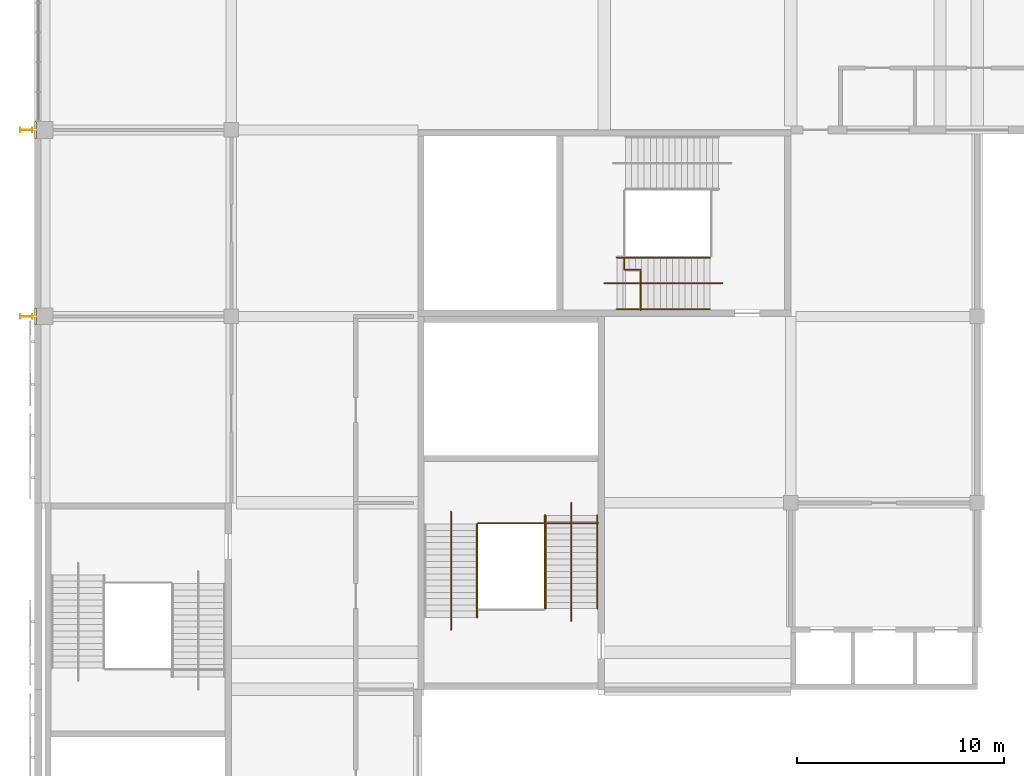
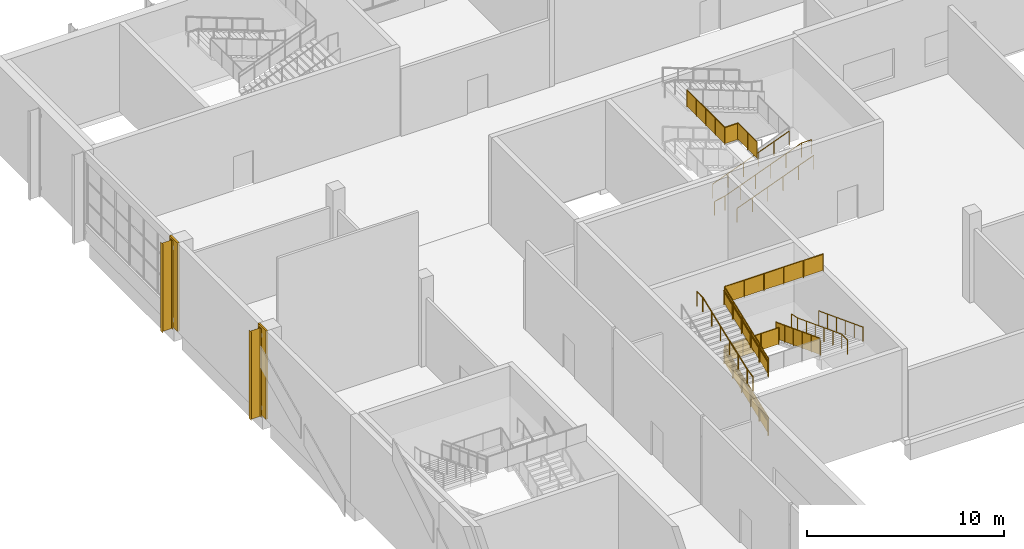
# One storey, part 70 of 84: 15 railings, 2 coverings, 2 shading devices.
"""IFC4 building model written with IfcOpenShell, lengths in metres."""

from ifc_helpers import new_model, si_unit, direction, frame, origin, origin_2d, place, context, subcontext, project, spatial, polyline, circle, i_section, outline, extrude, material, layer, layer_set, material_profile, profile_set, type_object, element, save


model = new_model("IFC4")

# Units and contexts
model_context = context("Model", 3, precision=1e-05, world=origin(), true_north=direction((0.0, 1.0)))
body_context = subcontext(model_context, "Body", "Model", "MODEL_VIEW")
ifc_project = project(units=[si_unit("LENGTHUNIT", "METRE"), si_unit("AREAUNIT", "SQUARE_METRE"), si_unit("VOLUMEUNIT", "CUBIC_METRE"), si_unit("PLANEANGLEUNIT", "RADIAN"), si_unit("MASSUNIT", "GRAM", prefix="KILO")], contexts=[model_context])

# Site, building, storey
site_placement = place(None, origin())
site = spatial("IfcSite", under=ifc_project, at=site_placement, CompositionType="ELEMENT")
building_placement = place(site_placement, origin())
building = spatial("IfcBuilding", under=site, at=building_placement, Name="Silverbay Arena", CompositionType="ELEMENT")
storey_placement = place(building_placement, frame((0.0, 0.0, 28.0)))
storey = spatial("IfcBuildingStorey", under=building, at=storey_placement, Name="L04", CompositionType="ELEMENT", Elevation=28.0)

# Coverings
ifc_material_1 = material(Name="Aluminium composite cladding", Category="aluminium")
ifc_layer = layer(ifc_material_1, 0.10009765625)
ifc_layer_set = layer_set([ifc_layer], Name="Aluminium composite cladding")
covering_type = type_object("IfcCoveringType", Name="Column cladding 100", PredefinedType="CLADDING", material=ifc_layer_set)
covering_1_placement = place(storey_placement, origin())
element("IfcCovering", 1, at=covering_1_placement, inside=storey, type_object=covering_type, Name="West column cladding L04 11", PredefinedType="CLADDING", context=body_context, shape_type="SweptSolid", body=[
    extrude(outline(polyline([(53.5, 116.60009765625), (53.60009765625, 116.60009765625), (53.60009765625, 117.39990234375), (53.5, 117.39990234375), (53.5, 116.60009765625)])), origin(), (0.0, 0.0, 1.0), 5.5),
])
covering_2_placement = place(storey_placement, origin())
element("IfcCovering", 2, at=covering_2_placement, inside=storey, type_object=covering_type, Name="West column cladding L04 13", PredefinedType="CLADDING", context=body_context, shape_type="SweptSolid", body=[
    extrude(outline(polyline([(53.5, 125.60009765625), (53.60009765625, 125.60009765625), (53.60009765625, 126.39990234375), (53.5, 126.39990234375), (53.5, 125.60009765625)])), origin(), (0.0, 0.0, 1.0), 5.5),
])

# Railings
ifc_material_2 = material(Name="Stainless steel", Category="steel")
railing_type_1 = type_object("IfcRailingType", Name="Stair guard 1100", PredefinedType="GUARDRAIL", material=ifc_material_2)
railing_1_placement = place(storey_placement, frame((81.970458984375, 123.10009765625, 5.5)))
element("IfcRailing", 3, at=railing_1_placement, inside=storey, type_object=railing_type_1, Name="Stair ST-NW1 L04 to L05 landing 3 guard", PredefinedType="GUARDRAIL", context=body_context, shape_type="SweptSolid", body=[
    extrude(circle(Radius=0.02392578125, at=origin_2d()), frame((0.0, 0.0, 1.076171875), z_axis=(0.0, -1.0, 0.0), x_axis=(1.0, 0.0, 0.0)), (0.0, 0.0, 1.0), 3.85009765625),
    extrude(outline(polyline([(-0.008056640625, 0.050048828125), (0.970458984375, 0.050048828125), (0.970458984375, 1.052978515625), (-0.008056640625, 1.052978515625), (-0.008056640625, 0.050048828125)])), frame((0.0029296875, 0.0, 0.0), z_axis=(-1.0, 0.0, 0.0), x_axis=(0.0, -1.0, 0.0)), (0.0, 0.0, 1.0), 0.006103515625),
    extrude(outline(polyline([(-0.008056640625, 0.050048828125), (0.970458984375, 0.050048828125), (0.970458984375, 1.052978515625), (-0.008056640625, 1.052978515625), (-0.008056640625, 0.050048828125)])), frame((0.0029296875, -0.96240234375, 0.0), z_axis=(-1.0, 0.0, 0.0), x_axis=(0.0, -1.0, 0.0)), (0.0, 0.0, 1.0), 0.006103515625),
    extrude(outline(polyline([(-0.008056640625, 0.050048828125), (0.970458984375, 0.050048828125), (0.970458984375, 1.052978515625), (-0.008056640625, 1.052978515625), (-0.008056640625, 0.050048828125)])), frame((0.0029296875, -1.925048828125, 0.0), z_axis=(-1.0, 0.0, 0.0), x_axis=(0.0, -1.0, 0.0)), (0.0, 0.0, 1.0), 0.006103515625),
    extrude(outline(polyline([(-0.008056640625, 0.050048828125), (0.970458984375, 0.050048828125), (0.970458984375, 1.052978515625), (-0.008056640625, 1.052978515625), (-0.008056640625, 0.050048828125)])), frame((0.0029296875, -2.8876953125, 0.0), z_axis=(-1.0, 0.0, 0.0), x_axis=(0.0, -1.0, 0.0)), (0.0, 0.0, 1.0), 0.006103515625),
    extrude(circle(Radius=0.02392578125, at=origin_2d()), frame((0.0, -3.85009765625, 1.076171875), z_axis=(1.0, 0.0, 0.0), x_axis=(0.0, 1.0, 0.0)), (0.0, 0.0, 1.0), 0.780029296875),
    extrude(outline(polyline([(-0.008056640625, 0.050048828125), (0.7880859375, 0.050048828125), (0.7880859375, 1.052978515625), (-0.008056640625, 1.052978515625), (-0.008056640625, 0.050048828125)])), frame((0.0, -3.84716796875, 0.0), z_axis=(0.0, -1.0, 0.0), x_axis=(1.0, 0.0, 0.0)), (0.0, 0.0, 1.0), 0.006103515625),
    extrude(circle(Radius=0.02392578125, at=origin_2d()), frame((0.780029296875, -3.85009765625, 1.076171875), z_axis=(0.0, -1.0, 0.0), x_axis=(1.0, 0.0, 0.0)), (0.0, 0.0, 1.0), 1.949951171875),
    extrude(outline(polyline([(-0.008056640625, 0.050048828125), (0.98291015625, 0.050048828125), (0.98291015625, 1.052978515625), (-0.008056640625, 1.052978515625), (-0.008056640625, 0.050048828125)])), frame((0.782958984375, -3.85009765625, 0.0), z_axis=(-1.0, 0.0, 0.0), x_axis=(0.0, -1.0, 0.0)), (0.0, 0.0, 1.0), 0.006103515625),
    extrude(outline(polyline([(-0.008056640625, 0.050048828125), (0.98291015625, 0.050048828125), (0.98291015625, 1.052978515625), (-0.008056640625, 1.052978515625), (-0.008056640625, 0.050048828125)])), frame((0.782958984375, -4.8251953125, 0.0), z_axis=(-1.0, 0.0, 0.0), x_axis=(0.0, -1.0, 0.0)), (0.0, 0.0, 1.0), 0.006103515625),
    extrude(circle(Radius=0.02099609375, at=origin_2d()), origin(), (0.0, 0.0, 1.0), 1.052001953125),
    extrude(circle(Radius=0.02099609375, at=origin_2d()), frame((0.0, -0.96240234375, 0.0)), (0.0, 0.0, 1.0), 1.052001953125),
    extrude(circle(Radius=0.02099609375, at=origin_2d()), frame((0.0, -1.925048828125, 0.0)), (0.0, 0.0, 1.0), 1.052001953125),
    extrude(circle(Radius=0.02099609375, at=origin_2d()), frame((0.0, -2.8876953125, 0.0)), (0.0, 0.0, 1.0), 1.052001953125),
    extrude(circle(Radius=0.02099609375, at=origin_2d()), frame((0.0, -3.85009765625, 0.0)), (0.0, 0.0, 1.0), 1.052001953125),
    extrude(circle(Radius=0.02099609375, at=origin_2d()), frame((0.780029296875, -3.85009765625, 0.0)), (0.0, 0.0, 1.0), 1.052001953125),
    extrude(circle(Radius=0.02099609375, at=origin_2d()), frame((0.780029296875, -4.8251953125, 0.0)), (0.0, 0.0, 1.0), 1.052001953125),
    extrude(circle(Radius=0.02099609375, at=origin_2d()), frame((0.780029296875, -5.800048828125, 0.0)), (0.0, 0.0, 1.0), 1.052001953125),
])
railing_2_placement = place(storey_placement, frame((74.875, 102.4794921875, 0.114501953125)))
element("IfcRailing", 4, at=railing_2_placement, inside=storey, type_object=railing_type_1, Name="Stair ST-NW2 L04 to L05 flight 1 guard left", PredefinedType="GUARDRAIL", context=body_context, shape_type="SweptSolid", body=[
    extrude(circle(Radius=0.02392578125, at=origin_2d()), frame((0.0, 0.0, 1.076171875), z_axis=(0.0, 0.93417907455, 0.356804507641), x_axis=(-1.0, 0.0, 0.0)), (0.0, 0.0, 1.0), 4.817138671875),
    extrude(outline(polyline([(-0.008056640625, 0.046875), (0.907958984375, 0.396728515625), (0.907958984375, 1.39990234375), (-0.008056640625, 1.050048828125), (-0.008056640625, 0.046875)])), frame((-0.0029296875, 0.0, 0.0), z_axis=(1.0, 0.0, 0.0), x_axis=(0.0, 1.0, 0.0)), (0.0, 0.0, 1.0), 0.006103515625),
    extrude(outline(polyline([(-0.008056640625, 0.390625), (0.907958984375, 0.740478515625), (0.907958984375, 1.74365234375), (-0.008056640625, 1.393798828125), (-0.008056640625, 0.390625)])), frame((-0.0029296875, 0.89990234375, 0.0), z_axis=(1.0, 0.0, 0.0), x_axis=(0.0, 1.0, 0.0)), (0.0, 0.0, 1.0), 0.006103515625),
    extrude(outline(polyline([(-0.008056640625, 0.734375), (0.907958984375, 1.084228515625), (0.907958984375, 2.08740234375), (-0.008056640625, 1.737548828125), (-0.008056640625, 0.734375)])), frame((-0.0029296875, 1.800048828125, 0.0), z_axis=(1.0, 0.0, 0.0), x_axis=(0.0, 1.0, 0.0)), (0.0, 0.0, 1.0), 0.006103515625),
    extrude(outline(polyline([(-0.008056640625, 1.078125), (0.907958984375, 1.427978515625), (0.907958984375, 2.43115234375), (-0.008056640625, 2.081298828125), (-0.008056640625, 1.078125)])), frame((-0.0029296875, 2.699951171875, 0.0), z_axis=(1.0, 0.0, 0.0), x_axis=(0.0, 1.0, 0.0)), (0.0, 0.0, 1.0), 0.006103515625),
    extrude(outline(polyline([(-0.008056640625, 1.421875), (0.907958984375, 1.771728515625), (0.907958984375, 2.77490234375), (-0.008056640625, 2.425048828125), (-0.008056640625, 1.421875)])), frame((-0.0029296875, 3.60009765625, 0.0), z_axis=(1.0, 0.0, 0.0), x_axis=(0.0, 1.0, 0.0)), (0.0, 0.0, 1.0), 0.006103515625),
    extrude(circle(Radius=0.02099609375, at=origin_2d()), origin(), (0.0, 0.0, 1.0), 1.052001953125),
    extrude(circle(Radius=0.02099609375, at=origin_2d()), frame((0.0, 0.89990234375, 0.34375)), (0.0, 0.0, 1.0), 1.052001953125),
    extrude(circle(Radius=0.02099609375, at=origin_2d()), frame((0.0, 1.800048828125, 0.6875)), (0.0, 0.0, 1.0), 1.052001953125),
    extrude(circle(Radius=0.02099609375, at=origin_2d()), frame((0.0, 2.699951171875, 1.03125)), (0.0, 0.0, 1.0), 1.052001953125),
    extrude(circle(Radius=0.02099609375, at=origin_2d()), frame((0.0, 3.60009765625, 1.375)), (0.0, 0.0, 1.0), 1.052001953125),
    extrude(circle(Radius=0.02099609375, at=origin_2d()), frame((0.0, 4.5, 1.71875)), (0.0, 0.0, 1.0), 1.052001953125),
])
railing_3_placement = place(storey_placement, frame((78.125, 107.39990234375, 1.947998046875)))
element("IfcRailing", 5, at=railing_3_placement, inside=storey, type_object=railing_type_1, Name="Stair ST-NW2 L04 to L05 flight 2 guard right", PredefinedType="GUARDRAIL", context=body_context, shape_type="SweptSolid", body=[
    extrude(circle(Radius=0.02392578125, at=origin_2d()), frame((0.0, 0.0, 1.076171875), z_axis=(0.0, -0.93417907455, 0.356804507641), x_axis=(1.0, 0.0, 0.0)), (0.0, 0.0, 1.0), 4.817138671875),
    extrude(outline(polyline([(-0.008056640625, 0.046875), (0.907958984375, 0.396728515625), (0.907958984375, 1.39990234375), (-0.008056640625, 1.050048828125), (-0.008056640625, 0.046875)])), frame((0.0029296875, 0.0, 0.0), z_axis=(-1.0, 0.0, 0.0), x_axis=(0.0, -1.0, 0.0)), (0.0, 0.0, 1.0), 0.006103515625),
    extrude(outline(polyline([(-0.008056640625, 0.390625), (0.907958984375, 0.740478515625), (0.907958984375, 1.74365234375), (-0.008056640625, 1.393798828125), (-0.008056640625, 0.390625)])), frame((0.0029296875, -0.89990234375, 0.0), z_axis=(-1.0, 0.0, 0.0), x_axis=(0.0, -1.0, 0.0)), (0.0, 0.0, 1.0), 0.006103515625),
    extrude(outline(polyline([(-0.008056640625, 0.734375), (0.907958984375, 1.084228515625), (0.907958984375, 2.08740234375), (-0.008056640625, 1.737548828125), (-0.008056640625, 0.734375)])), frame((0.0029296875, -1.800048828125, 0.0), z_axis=(-1.0, 0.0, 0.0), x_axis=(0.0, -1.0, 0.0)), (0.0, 0.0, 1.0), 0.006103515625),
    extrude(outline(polyline([(-0.008056640625, 1.078125), (0.907958984375, 1.427978515625), (0.907958984375, 2.43115234375), (-0.008056640625, 2.081298828125), (-0.008056640625, 1.078125)])), frame((0.0029296875, -2.699951171875, 0.0), z_axis=(-1.0, 0.0, 0.0), x_axis=(0.0, -1.0, 0.0)), (0.0, 0.0, 1.0), 0.006103515625),
    extrude(outline(polyline([(-0.008056640625, 1.421875), (0.907958984375, 1.771728515625), (0.907958984375, 2.77490234375), (-0.008056640625, 2.425048828125), (-0.008056640625, 1.421875)])), frame((0.0029296875, -3.60009765625, 0.0), z_axis=(-1.0, 0.0, 0.0), x_axis=(0.0, -1.0, 0.0)), (0.0, 0.0, 1.0), 0.006103515625),
    extrude(circle(Radius=0.02099609375, at=origin_2d()), origin(), (0.0, 0.0, 1.0), 1.052001953125),
    extrude(circle(Radius=0.02099609375, at=origin_2d()), frame((0.0, -0.89990234375, 0.34375)), (0.0, 0.0, 1.0), 1.052001953125),
    extrude(circle(Radius=0.02099609375, at=origin_2d()), frame((0.0, -1.800048828125, 0.6875)), (0.0, 0.0, 1.0), 1.052001953125),
    extrude(circle(Radius=0.02099609375, at=origin_2d()), frame((0.0, -2.699951171875, 1.03125)), (0.0, 0.0, 1.0), 1.052001953125),
    extrude(circle(Radius=0.02099609375, at=origin_2d()), frame((0.0, -3.60009765625, 1.375)), (0.0, 0.0, 1.0), 1.052001953125),
    extrude(circle(Radius=0.02099609375, at=origin_2d()), frame((0.0, -4.5, 1.71875)), (0.0, 0.0, 1.0), 1.052001953125),
])
railing_4_placement = place(storey_placement, frame((74.875, 102.4794921875, 3.78125)))
element("IfcRailing", 6, at=railing_4_placement, inside=storey, type_object=railing_type_1, Name="Stair ST-NW2 L04 to L05 flight 3 guard left", PredefinedType="GUARDRAIL", context=body_context, shape_type="SweptSolid", body=[
    extrude(circle(Radius=0.02392578125, at=origin_2d()), frame((0.0, 0.0, 1.076171875), z_axis=(0.0, 0.93417907455, 0.356804507641), x_axis=(-1.0, 0.0, 0.0)), (0.0, 0.0, 1.0), 4.817138671875),
    extrude(outline(polyline([(-0.008056640625, 0.046875), (0.907958984375, 0.396728515625), (0.907958984375, 1.39990234375), (-0.008056640625, 1.050048828125), (-0.008056640625, 0.046875)])), frame((-0.0029296875, 0.0, 0.0), z_axis=(1.0, 0.0, 0.0), x_axis=(0.0, 1.0, 0.0)), (0.0, 0.0, 1.0), 0.006103515625),
    extrude(outline(polyline([(-0.008056640625, 0.390625), (0.907958984375, 0.740478515625), (0.907958984375, 1.74365234375), (-0.008056640625, 1.393798828125), (-0.008056640625, 0.390625)])), frame((-0.0029296875, 0.89990234375, 0.0), z_axis=(1.0, 0.0, 0.0), x_axis=(0.0, 1.0, 0.0)), (0.0, 0.0, 1.0), 0.006103515625),
    extrude(outline(polyline([(-0.008056640625, 0.734375), (0.907958984375, 1.084228515625), (0.907958984375, 2.08740234375), (-0.008056640625, 1.737548828125), (-0.008056640625, 0.734375)])), frame((-0.0029296875, 1.800048828125, 0.0), z_axis=(1.0, 0.0, 0.0), x_axis=(0.0, 1.0, 0.0)), (0.0, 0.0, 1.0), 0.006103515625),
    extrude(outline(polyline([(-0.008056640625, 1.078125), (0.907958984375, 1.427978515625), (0.907958984375, 2.43115234375), (-0.008056640625, 2.081298828125), (-0.008056640625, 1.078125)])), frame((-0.0029296875, 2.699951171875, 0.0), z_axis=(1.0, 0.0, 0.0), x_axis=(0.0, 1.0, 0.0)), (0.0, 0.0, 1.0), 0.006103515625),
    extrude(outline(polyline([(-0.008056640625, 1.421875), (0.907958984375, 1.771728515625), (0.907958984375, 2.77490234375), (-0.008056640625, 2.425048828125), (-0.008056640625, 1.421875)])), frame((-0.0029296875, 3.60009765625, 0.0), z_axis=(1.0, 0.0, 0.0), x_axis=(0.0, 1.0, 0.0)), (0.0, 0.0, 1.0), 0.006103515625),
    extrude(circle(Radius=0.02099609375, at=origin_2d()), origin(), (0.0, 0.0, 1.0), 1.052001953125),
    extrude(circle(Radius=0.02099609375, at=origin_2d()), frame((0.0, 0.89990234375, 0.34375)), (0.0, 0.0, 1.0), 1.052001953125),
    extrude(circle(Radius=0.02099609375, at=origin_2d()), frame((0.0, 1.800048828125, 0.6875)), (0.0, 0.0, 1.0), 1.052001953125),
    extrude(circle(Radius=0.02099609375, at=origin_2d()), frame((0.0, 2.699951171875, 1.03125)), (0.0, 0.0, 1.0), 1.052001953125),
    extrude(circle(Radius=0.02099609375, at=origin_2d()), frame((0.0, 3.60009765625, 1.375)), (0.0, 0.0, 1.0), 1.052001953125),
    extrude(circle(Radius=0.02099609375, at=origin_2d()), frame((0.0, 4.5, 1.71875)), (0.0, 0.0, 1.0), 1.052001953125),
])
railing_5_placement = place(storey_placement, frame((78.10009765625, 107.029541015625, 1.833251953125)))
element("IfcRailing", 7, at=railing_5_placement, inside=storey, type_object=railing_type_1, Name="Stair ST-NW2 L04 to L05 landing 1 guard", PredefinedType="GUARDRAIL", context=body_context, shape_type="SweptSolid", body=[
    extrude(circle(Radius=0.02392578125, at=origin_2d()), frame((0.0, 0.0, 1.076171875), z_axis=(-1.0, 0.0, 0.0), x_axis=(0.0, -1.0, 0.0)), (0.0, 0.0, 1.0), 3.2001953125),
    extrude(outline(polyline([(-0.008056640625, 0.050048828125), (1.07470703125, 0.050048828125), (1.07470703125, 1.052978515625), (-0.008056640625, 1.052978515625), (-0.008056640625, 0.050048828125)])), frame((0.0, -0.0029296875, 0.0), z_axis=(0.0, 1.0, 0.0), x_axis=(-1.0, 0.0, 0.0)), (0.0, 0.0, 1.0), 0.006103515625),
    extrude(outline(polyline([(-0.008056640625, 0.050048828125), (1.07470703125, 0.050048828125), (1.07470703125, 1.052978515625), (-0.008056640625, 1.052978515625), (-0.008056640625, 0.050048828125)])), frame((-1.066650390625, -0.0029296875, 0.0), z_axis=(0.0, 1.0, 0.0), x_axis=(-1.0, 0.0, 0.0)), (0.0, 0.0, 1.0), 0.006103515625),
    extrude(outline(polyline([(-0.008056640625, 0.050048828125), (1.07470703125, 0.050048828125), (1.07470703125, 1.052978515625), (-0.008056640625, 1.052978515625), (-0.008056640625, 0.050048828125)])), frame((-2.133544921875, -0.0029296875, 0.0), z_axis=(0.0, 1.0, 0.0), x_axis=(-1.0, 0.0, 0.0)), (0.0, 0.0, 1.0), 0.006103515625),
    extrude(circle(Radius=0.02099609375, at=origin_2d()), origin(), (0.0, 0.0, 1.0), 1.052001953125),
    extrude(circle(Radius=0.02099609375, at=origin_2d()), frame((-1.066650390625, 0.0, 0.0)), (0.0, 0.0, 1.0), 1.052001953125),
    extrude(circle(Radius=0.02099609375, at=origin_2d()), frame((-2.133544921875, 0.0, 0.0)), (0.0, 0.0, 1.0), 1.052001953125),
    extrude(circle(Radius=0.02099609375, at=origin_2d()), frame((-3.2001953125, 0.0, 0.0)), (0.0, 0.0, 1.0), 1.052001953125),
])
railing_6_placement = place(storey_placement, frame((74.89990234375, 107.029541015625, 5.5)))
element("IfcRailing", 8, at=railing_6_placement, inside=storey, type_object=railing_type_1, Name="Stair ST-NW2 L04 to L05 landing 3 guard", PredefinedType="GUARDRAIL", context=body_context, shape_type="SweptSolid", body=[
    extrude(circle(Radius=0.02392578125, at=origin_2d()), frame((0.0, 0.0, 1.076171875), z_axis=(1.0, 0.0, 0.0), x_axis=(0.0, 1.0, 0.0)), (0.0, 0.0, 1.0), 5.800048828125),
    extrude(outline(polyline([(-0.008056640625, 0.050048828125), (1.16796875, 0.050048828125), (1.16796875, 1.052978515625), (-0.008056640625, 1.052978515625), (-0.008056640625, 0.050048828125)])), frame((0.0, 0.0029296875, 0.0), z_axis=(0.0, -1.0, 0.0), x_axis=(1.0, 0.0, 0.0)), (0.0, 0.0, 1.0), 0.006103515625),
    extrude(outline(polyline([(-0.008056640625, 0.050048828125), (1.16796875, 0.050048828125), (1.16796875, 1.052978515625), (-0.008056640625, 1.052978515625), (-0.008056640625, 0.050048828125)])), frame((1.159912109375, 0.0029296875, 0.0), z_axis=(0.0, -1.0, 0.0), x_axis=(1.0, 0.0, 0.0)), (0.0, 0.0, 1.0), 0.006103515625),
    extrude(outline(polyline([(-0.008056640625, 0.050048828125), (1.16796875, 0.050048828125), (1.16796875, 1.052978515625), (-0.008056640625, 1.052978515625), (-0.008056640625, 0.050048828125)])), frame((2.320068359375, 0.0029296875, 0.0), z_axis=(0.0, -1.0, 0.0), x_axis=(1.0, 0.0, 0.0)), (0.0, 0.0, 1.0), 0.006103515625),
    extrude(outline(polyline([(-0.008056640625, 0.050048828125), (1.16796875, 0.050048828125), (1.16796875, 1.052978515625), (-0.008056640625, 1.052978515625), (-0.008056640625, 0.050048828125)])), frame((3.47998046875, 0.0029296875, 0.0), z_axis=(0.0, -1.0, 0.0), x_axis=(1.0, 0.0, 0.0)), (0.0, 0.0, 1.0), 0.006103515625),
    extrude(outline(polyline([(-0.008056640625, 0.050048828125), (1.16796875, 0.050048828125), (1.16796875, 1.052978515625), (-0.008056640625, 1.052978515625), (-0.008056640625, 0.050048828125)])), frame((4.64013671875, 0.0029296875, 0.0), z_axis=(0.0, -1.0, 0.0), x_axis=(1.0, 0.0, 0.0)), (0.0, 0.0, 1.0), 0.006103515625),
    extrude(circle(Radius=0.02099609375, at=origin_2d()), origin(), (0.0, 0.0, 1.0), 1.052001953125),
    extrude(circle(Radius=0.02099609375, at=origin_2d()), frame((1.159912109375, 0.0, 0.0)), (0.0, 0.0, 1.0), 1.052001953125),
    extrude(circle(Radius=0.02099609375, at=origin_2d()), frame((2.320068359375, 0.0, 0.0)), (0.0, 0.0, 1.0), 1.052001953125),
    extrude(circle(Radius=0.02099609375, at=origin_2d()), frame((3.47998046875, 0.0, 0.0)), (0.0, 0.0, 1.0), 1.052001953125),
    extrude(circle(Radius=0.02099609375, at=origin_2d()), frame((4.64013671875, 0.0, 0.0)), (0.0, 0.0, 1.0), 1.052001953125),
    extrude(circle(Radius=0.02099609375, at=origin_2d()), frame((5.800048828125, 0.0, 0.0)), (0.0, 0.0, 1.0), 1.052001953125),
])
ifc_material_3 = material(Name="Stainless steel", Category="steel")
railing_type_2 = type_object("IfcRailingType", Name="Stair handrail 900", PredefinedType="HANDRAIL", material=ifc_material_3)
for number, where, name in (
    (9, (81.60009765625, 117.35009765625, 1.947998046875), "Stair ST-NW1 L04 to L05 flight 2 handrail left"),
    (10, (81.60009765625, 119.8359375, 1.947998046875), "Stair ST-NW1 L04 to L05 flight 2 handrail right"),
):
    element("IfcRailing", number, at=place(storey_placement, frame(where)), inside=storey, type_object=railing_type_2, Name=name, PredefinedType="HANDRAIL", context=body_context, shape_type="SweptSolid", body=[
        extrude(circle(Radius=0.02392578125, at=origin_2d()), frame((0.0, 0.0, 0.8759765625), z_axis=(0.93417907455, 0.0, 0.356804507641), x_axis=(0.0, 1.0, 0.0)), (0.0, 0.0, 1.0), 4.817138671875),
        extrude(circle(Radius=0.02099609375, at=origin_2d()), origin(), (0.0, 0.0, 1.0), 0.851806640625),
        extrude(circle(Radius=0.02099609375, at=origin_2d()), frame((0.89990234375, 0.0, 0.34375)), (0.0, 0.0, 1.0), 0.851806640625),
        extrude(circle(Radius=0.02099609375, at=origin_2d()), frame((1.800048828125, 0.0, 0.6875)), (0.0, 0.0, 1.0), 0.851806640625),
        extrude(circle(Radius=0.02099609375, at=origin_2d()), frame((2.699951171875, 0.0, 1.03125)), (0.0, 0.0, 1.0), 0.851806640625),
        extrude(circle(Radius=0.02099609375, at=origin_2d()), frame((3.60009765625, 0.0, 1.375)), (0.0, 0.0, 1.0), 0.851806640625),
        extrude(circle(Radius=0.02099609375, at=origin_2d()), frame((4.5, 0.0, 1.71875)), (0.0, 0.0, 1.0), 0.851806640625),
    ])
railing_7_placement = place(storey_placement, frame((81.0, 118.60009765625, 1.833251953125)))
element("IfcRailing", 11, at=railing_7_placement, inside=storey, type_object=railing_type_2, Name="Stair ST-NW1 L04 to L05 flight 2 central handrail", PredefinedType="HANDRAIL", context=body_context, shape_type="SweptSolid", body=[
    extrude(circle(Radius=0.02392578125, at=origin_2d()), frame((0.0, 0.0, 0.8759765625), z_axis=(0.982205411617, 0.0, 0.1878098224), x_axis=(0.0, 1.0, 0.0)), (0.0, 0.0, 1.0), 0.611083984375),
    extrude(circle(Radius=0.02392578125, at=origin_2d()), frame((0.60009765625, 0.0, 0.99072265625), z_axis=(0.93417907455, 0.0, 0.356804507641), x_axis=(0.0, 1.0, 0.0)), (0.0, 0.0, 1.0), 4.817138671875),
    extrude(circle(Radius=0.02392578125, at=origin_2d()), frame((5.10009765625, 0.0, 2.70947265625), z_axis=(1.0, 0.0, 0.0), x_axis=(0.0, 1.0, 0.0)), (0.0, 0.0, 1.0), 0.599853515625),
    extrude(circle(Radius=0.02099609375, at=origin_2d()), origin(), (0.0, 0.0, 1.0), 0.851806640625),
    extrude(circle(Radius=0.02099609375, at=origin_2d()), frame((0.60009765625, 0.0, 0.11474609375)), (0.0, 0.0, 1.0), 0.851806640625),
    extrude(circle(Radius=0.02099609375, at=origin_2d()), frame((1.5, 0.0, 0.45849609375)), (0.0, 0.0, 1.0), 0.851806640625),
    extrude(circle(Radius=0.02099609375, at=origin_2d()), frame((2.400146484375, 0.0, 0.80224609375)), (0.0, 0.0, 1.0), 0.851806640625),
    extrude(circle(Radius=0.02099609375, at=origin_2d()), frame((3.300048828125, 0.0, 1.14599609375)), (0.0, 0.0, 1.0), 0.851806640625),
    extrude(circle(Radius=0.02099609375, at=origin_2d()), frame((4.2001953125, 0.0, 1.48974609375)), (0.0, 0.0, 1.0), 0.851806640625),
    extrude(circle(Radius=0.02099609375, at=origin_2d()), frame((5.10009765625, 0.0, 1.83349609375)), (0.0, 0.0, 1.0), 0.851806640625),
    extrude(circle(Radius=0.02099609375, at=origin_2d()), frame((5.699951171875, 0.0, 1.83349609375)), (0.0, 0.0, 1.0), 0.851806640625),
])
railing_8_placement = place(storey_placement, frame((74.8359375, 102.4794921875, 0.114501953125)))
element("IfcRailing", 12, at=railing_8_placement, inside=storey, type_object=railing_type_2, Name="Stair ST-NW2 L04 to L05 flight 1 handrail left", PredefinedType="HANDRAIL", context=body_context, shape_type="SweptSolid", body=[
    extrude(circle(Radius=0.02392578125, at=origin_2d()), frame((0.0, 0.0, 0.8759765625), z_axis=(0.0, 0.93417907455, 0.356804507641), x_axis=(-1.0, 0.0, 0.0)), (0.0, 0.0, 1.0), 4.817138671875),
    extrude(circle(Radius=0.02099609375, at=origin_2d()), origin(), (0.0, 0.0, 1.0), 0.851806640625),
    extrude(circle(Radius=0.02099609375, at=origin_2d()), frame((0.0, 0.89990234375, 0.34375)), (0.0, 0.0, 1.0), 0.851806640625),
    extrude(circle(Radius=0.02099609375, at=origin_2d()), frame((0.0, 1.800048828125, 0.6875)), (0.0, 0.0, 1.0), 0.851806640625),
    extrude(circle(Radius=0.02099609375, at=origin_2d()), frame((0.0, 2.699951171875, 1.03125)), (0.0, 0.0, 1.0), 0.851806640625),
    extrude(circle(Radius=0.02099609375, at=origin_2d()), frame((0.0, 3.60009765625, 1.375)), (0.0, 0.0, 1.0), 0.851806640625),
    extrude(circle(Radius=0.02099609375, at=origin_2d()), frame((0.0, 4.5, 1.71875)), (0.0, 0.0, 1.0), 0.851806640625),
])
for number, where, name in (
    (13, (80.64990234375, 107.39990234375, 1.947998046875), "Stair ST-NW2 L04 to L05 flight 2 handrail left"),
    (14, (78.1640625, 107.39990234375, 1.947998046875), "Stair ST-NW2 L04 to L05 flight 2 handrail right"),
):
    element("IfcRailing", number, at=place(storey_placement, frame(where)), inside=storey, type_object=railing_type_2, Name=name, PredefinedType="HANDRAIL", context=body_context, shape_type="SweptSolid", body=[
        extrude(circle(Radius=0.02392578125, at=origin_2d()), frame((0.0, 0.0, 0.8759765625), z_axis=(0.0, -0.93417907455, 0.356804507641), x_axis=(1.0, 0.0, 0.0)), (0.0, 0.0, 1.0), 4.817138671875),
        extrude(circle(Radius=0.02099609375, at=origin_2d()), origin(), (0.0, 0.0, 1.0), 0.851806640625),
        extrude(circle(Radius=0.02099609375, at=origin_2d()), frame((0.0, -0.89990234375, 0.34375)), (0.0, 0.0, 1.0), 0.851806640625),
        extrude(circle(Radius=0.02099609375, at=origin_2d()), frame((0.0, -1.800048828125, 0.6875)), (0.0, 0.0, 1.0), 0.851806640625),
        extrude(circle(Radius=0.02099609375, at=origin_2d()), frame((0.0, -2.699951171875, 1.03125)), (0.0, 0.0, 1.0), 0.851806640625),
        extrude(circle(Radius=0.02099609375, at=origin_2d()), frame((0.0, -3.60009765625, 1.375)), (0.0, 0.0, 1.0), 0.851806640625),
        extrude(circle(Radius=0.02099609375, at=origin_2d()), frame((0.0, -4.5, 1.71875)), (0.0, 0.0, 1.0), 0.851806640625),
    ])
railing_9_placement = place(storey_placement, frame((79.39990234375, 108.0, 1.833251953125)))
element("IfcRailing", 15, at=railing_9_placement, inside=storey, type_object=railing_type_2, Name="Stair ST-NW2 L04 to L05 flight 2 central handrail", PredefinedType="HANDRAIL", context=body_context, shape_type="SweptSolid", body=[
    extrude(circle(Radius=0.02392578125, at=origin_2d()), frame((0.0, 0.0, 0.8759765625), z_axis=(0.0, -0.982205411617, 0.1878098224), x_axis=(1.0, 0.0, 0.0)), (0.0, 0.0, 1.0), 0.611083984375),
    extrude(circle(Radius=0.02392578125, at=origin_2d()), frame((0.0, -0.60009765625, 0.99072265625), z_axis=(0.0, -0.93417907455, 0.356804507641), x_axis=(1.0, 0.0, 0.0)), (0.0, 0.0, 1.0), 4.817138671875),
    extrude(circle(Radius=0.02392578125, at=origin_2d()), frame((0.0, -5.10009765625, 2.70947265625), z_axis=(0.0, -1.0, 0.0), x_axis=(1.0, 0.0, 0.0)), (0.0, 0.0, 1.0), 0.599853515625),
    extrude(circle(Radius=0.02099609375, at=origin_2d()), origin(), (0.0, 0.0, 1.0), 0.851806640625),
    extrude(circle(Radius=0.02099609375, at=origin_2d()), frame((0.0, -0.60009765625, 0.11474609375)), (0.0, 0.0, 1.0), 0.851806640625),
    extrude(circle(Radius=0.02099609375, at=origin_2d()), frame((0.0, -1.5, 0.45849609375)), (0.0, 0.0, 1.0), 0.851806640625),
    extrude(circle(Radius=0.02099609375, at=origin_2d()), frame((0.0, -2.400146484375, 0.80224609375)), (0.0, 0.0, 1.0), 0.851806640625),
    extrude(circle(Radius=0.02099609375, at=origin_2d()), frame((0.0, -3.300048828125, 1.14599609375)), (0.0, 0.0, 1.0), 0.851806640625),
    extrude(circle(Radius=0.02099609375, at=origin_2d()), frame((0.0, -4.2001953125, 1.48974609375)), (0.0, 0.0, 1.0), 0.851806640625),
    extrude(circle(Radius=0.02099609375, at=origin_2d()), frame((0.0, -5.10009765625, 1.83349609375)), (0.0, 0.0, 1.0), 0.851806640625),
    extrude(circle(Radius=0.02099609375, at=origin_2d()), frame((0.0, -5.699951171875, 1.83349609375)), (0.0, 0.0, 1.0), 0.851806640625),
])
railing_10_placement = place(storey_placement, frame((74.8359375, 102.4794921875, 3.78125)))
element("IfcRailing", 16, at=railing_10_placement, inside=storey, type_object=railing_type_2, Name="Stair ST-NW2 L04 to L05 flight 3 handrail left", PredefinedType="HANDRAIL", context=body_context, shape_type="SweptSolid", body=[
    extrude(circle(Radius=0.02392578125, at=origin_2d()), frame((0.0, 0.0, 0.8759765625), z_axis=(0.0, 0.93417907455, 0.356804507641), x_axis=(-1.0, 0.0, 0.0)), (0.0, 0.0, 1.0), 4.817138671875),
    extrude(circle(Radius=0.02099609375, at=origin_2d()), origin(), (0.0, 0.0, 1.0), 0.851806640625),
    extrude(circle(Radius=0.02099609375, at=origin_2d()), frame((0.0, 0.89990234375, 0.34375)), (0.0, 0.0, 1.0), 0.851806640625),
    extrude(circle(Radius=0.02099609375, at=origin_2d()), frame((0.0, 1.800048828125, 0.6875)), (0.0, 0.0, 1.0), 0.851806640625),
    extrude(circle(Radius=0.02099609375, at=origin_2d()), frame((0.0, 2.699951171875, 1.03125)), (0.0, 0.0, 1.0), 0.851806640625),
    extrude(circle(Radius=0.02099609375, at=origin_2d()), frame((0.0, 3.60009765625, 1.375)), (0.0, 0.0, 1.0), 0.851806640625),
    extrude(circle(Radius=0.02099609375, at=origin_2d()), frame((0.0, 4.5, 1.71875)), (0.0, 0.0, 1.0), 0.851806640625),
])
railing_11_placement = place(storey_placement, frame((73.60009765625, 101.879638671875, 3.666748046875)))
element("IfcRailing", 17, at=railing_11_placement, inside=storey, type_object=railing_type_2, Name="Stair ST-NW2 L04 to L05 flight 3 central handrail", PredefinedType="HANDRAIL", context=body_context, shape_type="SweptSolid", body=[
    extrude(circle(Radius=0.02392578125, at=origin_2d()), frame((0.0, 0.0, 0.8759765625), z_axis=(0.0, 0.982265007716, 0.187497878966), x_axis=(-1.0, 0.0, 0.0)), (0.0, 0.0, 1.0), 0.610595703125),
    extrude(circle(Radius=0.02392578125, at=origin_2d()), frame((0.0, 0.599853515625, 0.990234375), z_axis=(0.0, 0.93417907455, 0.356804507641), x_axis=(-1.0, 0.0, 0.0)), (0.0, 0.0, 1.0), 4.817138671875),
    extrude(circle(Radius=0.02392578125, at=origin_2d()), frame((0.0, 5.099853515625, 2.708984375), z_axis=(0.0, 1.0, 0.0), x_axis=(-1.0, 0.0, 0.0)), (0.0, 0.0, 1.0), 0.60009765625),
    extrude(circle(Radius=0.02099609375, at=origin_2d()), origin(), (0.0, 0.0, 1.0), 0.851806640625),
    extrude(circle(Radius=0.02099609375, at=origin_2d()), frame((0.0, 0.599853515625, 0.114501953125)), (0.0, 0.0, 1.0), 0.851806640625),
    extrude(circle(Radius=0.02099609375, at=origin_2d()), frame((0.0, 1.499755859375, 0.458251953125)), (0.0, 0.0, 1.0), 0.851806640625),
    extrude(circle(Radius=0.02099609375, at=origin_2d()), frame((0.0, 2.39990234375, 0.802001953125)), (0.0, 0.0, 1.0), 0.851806640625),
    extrude(circle(Radius=0.02099609375, at=origin_2d()), frame((0.0, 3.2998046875, 1.145751953125)), (0.0, 0.0, 1.0), 0.851806640625),
    extrude(circle(Radius=0.02099609375, at=origin_2d()), frame((0.0, 4.199951171875, 1.489501953125)), (0.0, 0.0, 1.0), 0.851806640625),
    extrude(circle(Radius=0.02099609375, at=origin_2d()), frame((0.0, 5.099853515625, 1.833251953125)), (0.0, 0.0, 1.0), 0.851806640625),
    extrude(circle(Radius=0.02099609375, at=origin_2d()), frame((0.0, 5.699951171875, 1.833251953125)), (0.0, 0.0, 1.0), 0.851806640625),
])

# Shading devices
ifc_material_4 = material(Name="Steel S355", Category="steel")
ifc_material_profile = material_profile(ifc_material_4, i_section(OverallWidth=0.2275390625, OverallDepth=0.6025390625, WebThickness=0.010498046875, FlangeThickness=0.014892578125, at=origin_2d()), Name="UB 610x229x101")
ifc_profile_set = profile_set([ifc_material_profile], Name="Steel S355")
shading_device_type = type_object("IfcShadingDeviceType", Name="Steel fin UB 610x229x101", PredefinedType="USERDEFINED", material=ifc_profile_set)
for number, where, z_axis, x_axis, name in (
    (18, (53.0986328125, 117.0, 0.0), (0.0, 0.0, 1.0), (0.0, 1.0, 0.0), "Steel fin W L04 22"),
    (19, (53.0986328125, 126.0, 0.0), (0.0, 0.0, 1.0), (0.0, 1.0, 0.0), "Steel fin W L04 24"),
):
    element("IfcShadingDevice", number, at=place(storey_placement, frame(where, z_axis=z_axis, x_axis=x_axis)), inside=storey, type_object=shading_device_type, Name=name, ObjectType="FIN", PredefinedType="USERDEFINED", context=body_context, shape_type="SweptSolid", body=[
        extrude(i_section(OverallWidth=0.2275390625, OverallDepth=0.6025390625, WebThickness=0.010498046875, FlangeThickness=0.014892578125, at=origin_2d()), origin(), (0.0, 0.0, 1.0), 5.5),
    ])

save(model, "model.ifc")
